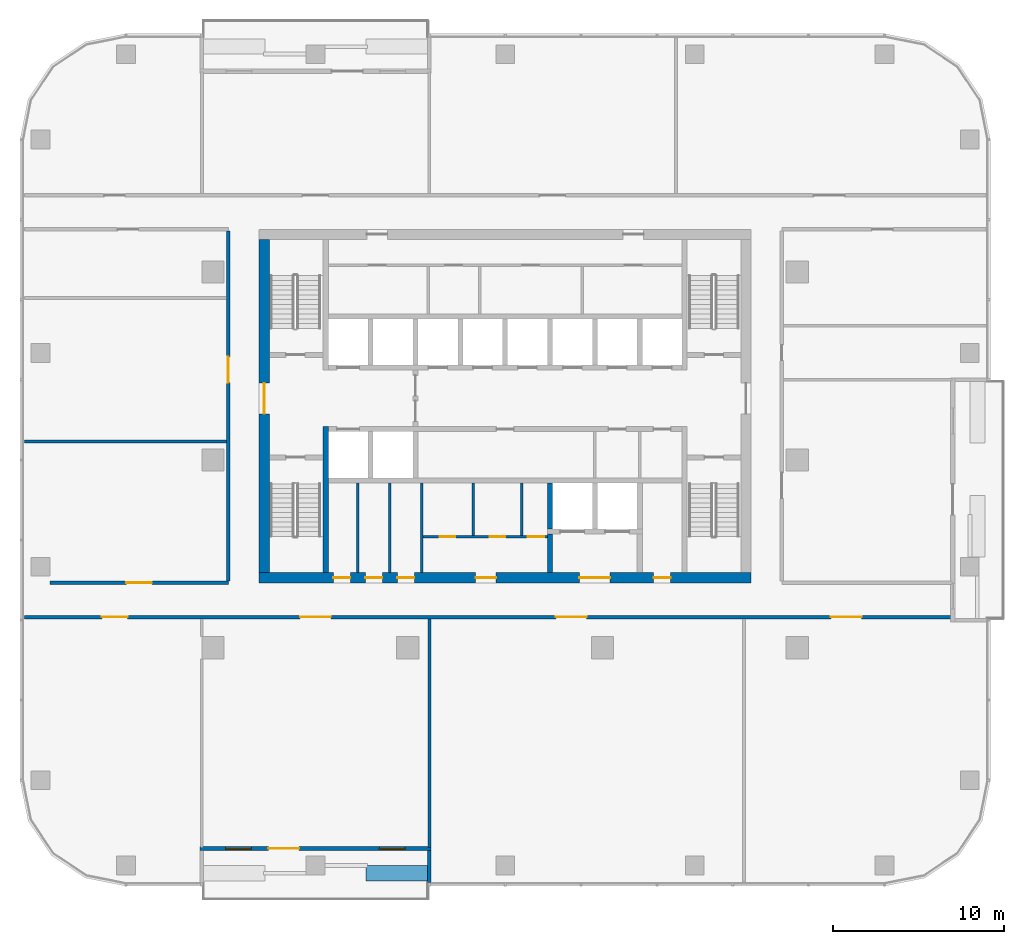
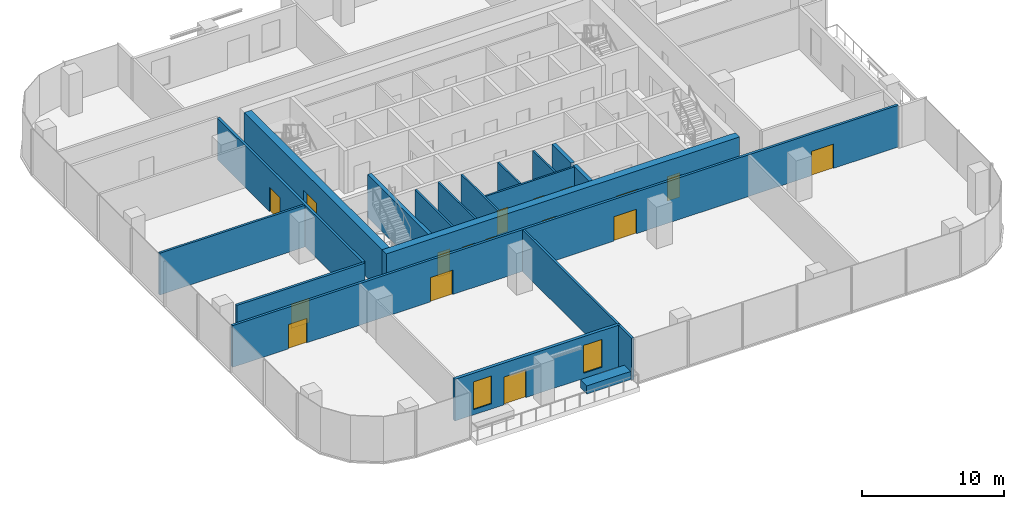
# One storey, part 7 of 14: 19 walls, 17 doors, 2 windows, 19 openings.
"""IFC4 building model written with IfcOpenShell, lengths in metres."""

from ifc_helpers import new_model, si_unit, direction, frame, frame_2d, origin, place, context, subcontext, project, spatial, rectangle, extrude, material, layer, layer_set, type_object, element, fill, save


model = new_model("IFC4")

# Units and contexts
model_context = context("Model", 3, precision=1e-05, world=origin(), true_north=direction((0.0, 1.0)))
body_context = subcontext(model_context, "Body", "Model", "MODEL_VIEW")
ifc_project = project(units=[si_unit("LENGTHUNIT", "METRE"), si_unit("AREAUNIT", "SQUARE_METRE"), si_unit("VOLUMEUNIT", "CUBIC_METRE"), si_unit("PLANEANGLEUNIT", "RADIAN"), si_unit("MASSUNIT", "GRAM", prefix="KILO")], contexts=[model_context])

# Site, building, storey
site_placement = place(None, origin())
site = spatial("IfcSite", under=ifc_project, at=site_placement, CompositionType="ELEMENT")
building_placement = place(site_placement, origin())
building = spatial("IfcBuilding", under=site, at=building_placement, Name="Mopane Tessera Tower", CompositionType="ELEMENT")
storey_placement = place(building_placement, frame((0.0, 0.0, 227.0)))
storey = spatial("IfcBuildingStorey", under=building, at=storey_placement, Name="L48", CompositionType="ELEMENT", Elevation=227.0)

# Walls
ifc_material_1 = material(Name="Fire-rated gypsum board partition")
ifc_layer_1 = layer(ifc_material_1, 0.14990234375)
ifc_layer_set_1 = layer_set([ifc_layer_1], Name="Fire-rated gypsum board partition")
wall_type_1 = type_object("IfcWallType", Name="Core room partition 150 mm", PredefinedType="PARTITIONING", material=ifc_layer_set_1)
for number, where, z_axis, x_axis, name in (
    (1, (-8.625, -6.60009765625, 0.0), (0.0, 0.0, 1.0), (0.0, 1.0, 0.0), "L48 Room partition"),
    (2, (-6.75, -6.60009765625, 0.0), (0.0, 0.0, 1.0), (0.0, 1.0, 0.0), "L48 Room partition"),
    (3, (-4.875, -6.60009765625, 0.0), (0.0, 0.0, 1.0), (0.0, 1.0, 0.0), "L48 Room partition"),
):
    element("IfcWall", number, at=place(storey_placement, frame(where, z_axis=z_axis, x_axis=x_axis)), inside=storey, type_object=wall_type_1, Name=name, PredefinedType="PARTITIONING", context=body_context, shape_type="SweptSolid", body=[
        extrude(rectangle(XDim=5.25, YDim=0.14990234375, at=frame_2d((2.625, 0.0))), origin(), (0.0, 0.0, 1.0), 3.699951171875),
    ])

# Wall, openings, doors
wall_1_placement = place(storey_placement, frame((-4.800048828125, -4.5, 0.0), z_axis=(0.0, 0.0, 1.0), x_axis=(1.0, 0.0, 0.0)))
wall_1 = element("IfcWall", 4, at=wall_1_placement, inside=storey, type_object=wall_type_1, Name="L48 WC partition", PredefinedType="PARTITIONING", context=body_context, shape_type="SweptSolid", body=[
    extrude(rectangle(XDim=7.275146484375, YDim=0.14990234375, at=frame_2d((3.6376953125, 0.0))), origin(), (0.0, 0.0, 1.0), 3.699951171875),
])
opening_1_placement = place(wall_1_placement, frame((0.97509765625, 0.0, 0.0)))
opening_1 = element("IfcOpeningElement", 5, at=opening_1_placement, cuts=wall_1, Name="Opening WD1", PredefinedType="OPENING", context=body_context, shape_type="SweptSolid", body=[
    extrude(rectangle(XDim=0.89990234375, YDim=2.10009765625, at=frame_2d((0.449951171875, 1.050048828125))), frame((0.0, 0.0869140625, 0.0), z_axis=(0.0, -1.0, 0.0), x_axis=(1.0, 0.0, 0.0)), (0.0, 0.0, 1.0), 0.173828125),
])
opening_2_placement = place(wall_1_placement, frame((3.89990234375, 0.0, 0.0)))
opening_2 = element("IfcOpeningElement", 6, at=opening_2_placement, cuts=wall_1, Name="Opening WD1", PredefinedType="OPENING", context=body_context, shape_type="SweptSolid", body=[
    extrude(rectangle(XDim=0.89990234375, YDim=2.10009765625, at=frame_2d((0.449951171875, 1.050048828125))), frame((0.0, 0.0869140625, 0.0), z_axis=(0.0, -1.0, 0.0), x_axis=(1.0, 0.0, 0.0)), (0.0, 0.0, 1.0), 0.173828125),
])
opening_3_placement = place(wall_1_placement, frame((6.125, 0.0, 0.0)))
opening_3 = element("IfcOpeningElement", 7, at=opening_3_placement, cuts=wall_1, Name="Opening WD2", PredefinedType="OPENING", context=body_context, shape_type="SweptSolid", body=[
    extrude(rectangle(XDim=0.949951171875, YDim=2.10009765625, at=frame_2d((0.47509765625, 1.050048828125))), frame((0.0, 0.0869140625, 0.0), z_axis=(0.0, -1.0, 0.0), x_axis=(1.0, 0.0, 0.0)), (0.0, 0.0, 1.0), 0.173828125),
])
ifc_material_2 = material(Name="Timber door", Category="wood")
door_type_1 = type_object("IfcDoorType", Name="Accessible WC door 950 x 2100", OperationType="SINGLE_SWING_LEFT", PredefinedType="DOOR", material=ifc_material_2)
door_1_placement = place(opening_3_placement, origin())
door_1 = element("IfcDoor", 8, at=door_1_placement, inside=storey, type_object=door_type_1, Name="L48 Accessible WC door", OperationType="SINGLE_SWING_LEFT", OverallHeight=2.10009765625, OverallWidth=0.949951171875, PredefinedType="DOOR", context=body_context, shape_type="SweptSolid", body=[
    extrude(rectangle(XDim=0.949951171875, YDim=2.10009765625, at=frame_2d((0.47509765625, 1.050048828125))), frame((0.0, 0.02490234375, 0.0), z_axis=(0.0, -1.0, 0.0), x_axis=(1.0, 0.0, 0.0)), (0.0, 0.0, 1.0), 0.050048828125),
])
fill(opening_3, door_1)
ifc_material_3 = material(Name="Timber door", Category="wood")
door_type_2 = type_object("IfcDoorType", Name="WC cubicle door 900 x 2100", OperationType="SINGLE_SWING_LEFT", PredefinedType="DOOR", material=ifc_material_3)
door_2_placement = place(opening_1_placement, origin())
door_2 = element("IfcDoor", 9, at=door_2_placement, inside=storey, type_object=door_type_2, Name="L48 Men's WC door", OperationType="SINGLE_SWING_LEFT", OverallHeight=2.10009765625, OverallWidth=0.89990234375, PredefinedType="DOOR", context=body_context, shape_type="SweptSolid", body=[
    extrude(rectangle(XDim=0.89990234375, YDim=2.10009765625, at=frame_2d((0.449951171875, 1.050048828125))), frame((0.0, 0.02490234375, 0.0), z_axis=(0.0, -1.0, 0.0), x_axis=(1.0, 0.0, 0.0)), (0.0, 0.0, 1.0), 0.050048828125),
])
fill(opening_1, door_2)
door_3_placement = place(opening_2_placement, origin())
door_3 = element("IfcDoor", 10, at=door_3_placement, inside=storey, type_object=door_type_2, Name="L48 Women's WC door", OperationType="SINGLE_SWING_LEFT", OverallHeight=2.10009765625, OverallWidth=0.89990234375, PredefinedType="DOOR", context=body_context, shape_type="SweptSolid", body=[
    extrude(rectangle(XDim=0.89990234375, YDim=2.10009765625, at=frame_2d((0.449951171875, 1.050048828125))), frame((0.0, 0.02490234375, 0.0), z_axis=(0.0, -1.0, 0.0), x_axis=(1.0, 0.0, 0.0)), (0.0, 0.0, 1.0), 0.050048828125),
])
fill(opening_2, door_3)

# Walls
for number, where, z_axis, x_axis, name in (
    (11, (-1.875, -4.425048828125, 0.0), (0.0, 0.0, 1.0), (0.0, 1.0, 0.0), "L48 WC partition"),
    (12, (0.97509765625, -4.425048828125, 0.0), (0.0, 0.0, 1.0), (0.0, 1.0, 0.0), "L48 WC partition"),
):
    element("IfcWall", number, at=place(storey_placement, frame(where, z_axis=z_axis, x_axis=x_axis)), inside=storey, type_object=wall_type_1, Name=name, PredefinedType="PARTITIONING", context=body_context, shape_type="SweptSolid", body=[
        extrude(rectangle(XDim=3.074951171875, YDim=0.14990234375, at=frame_2d((1.53759765625, 0.0))), origin(), (0.0, 0.0, 1.0), 3.699951171875),
    ])

# Wall, openings, doors
ifc_material_4 = material(Name="Concrete C70/85", Category="concrete")
ifc_layer_2 = layer(ifc_material_4, 0.60009765625)
ifc_layer_set_2 = layer_set([ifc_layer_2], Name="Concrete C70/85")
wall_type_2 = type_object("IfcWallType", Name="Core shear wall 600 mm", PredefinedType="SHEAR", material=ifc_layer_set_2)
wall_2_placement = place(storey_placement, frame((-14.39990234375, -6.89990234375, 0.0), z_axis=(0.0, 0.0, 1.0), x_axis=(1.0, 0.0, 0.0)))
wall_2 = element("IfcWall", 13, at=wall_2_placement, inside=storey, type_object=wall_type_2, Name="L48 Core wall south", PredefinedType="SHEAR", context=body_context, shape_type="SweptSolid", body=[
    extrude(rectangle(XDim=28.7998046875, YDim=0.60009765625, at=frame_2d((14.39990234375, 0.0))), origin(), (0.0, 0.0, 1.0), 3.699951171875),
])
opening_4_placement = place(wall_2_placement, frame((4.33740234375, 0.0, 0.0)))
opening_4 = element("IfcOpeningElement", 14, at=opening_4_placement, cuts=wall_2, Name="Opening RD1", PredefinedType="OPENING", context=body_context, shape_type="SweptSolid", body=[
    extrude(rectangle(XDim=1.0, YDim=2.10009765625, at=frame_2d((0.5, 1.050048828125))), frame((0.0, 0.31201171875, 0.0), z_axis=(0.0, -1.0, 0.0), x_axis=(1.0, 0.0, 0.0)), (0.0, 0.0, 1.0), 0.6240234375),
])
opening_5_placement = place(wall_2_placement, frame((6.21240234375, 0.0, 0.0)))
opening_5 = element("IfcOpeningElement", 15, at=opening_5_placement, cuts=wall_2, Name="Opening RD1", PredefinedType="OPENING", context=body_context, shape_type="SweptSolid", body=[
    extrude(rectangle(XDim=1.0, YDim=2.10009765625, at=frame_2d((0.5, 1.050048828125))), frame((0.0, 0.31201171875, 0.0), z_axis=(0.0, -1.0, 0.0), x_axis=(1.0, 0.0, 0.0)), (0.0, 0.0, 1.0), 0.6240234375),
])
opening_6_placement = place(wall_2_placement, frame((8.08740234375, 0.0, 0.0)))
opening_6 = element("IfcOpeningElement", 16, at=opening_6_placement, cuts=wall_2, Name="Opening RD1", PredefinedType="OPENING", context=body_context, shape_type="SweptSolid", body=[
    extrude(rectangle(XDim=1.0, YDim=2.10009765625, at=frame_2d((0.5, 1.050048828125))), frame((0.0, 0.31201171875, 0.0), z_axis=(0.0, -1.0, 0.0), x_axis=(1.0, 0.0, 0.0)), (0.0, 0.0, 1.0), 0.6240234375),
])
opening_7_placement = place(wall_2_placement, frame((12.675048828125, 0.0, 0.0)))
opening_7 = element("IfcOpeningElement", 17, at=opening_7_placement, cuts=wall_2, Name="Opening WD3", PredefinedType="OPENING", context=body_context, shape_type="SweptSolid", body=[
    extrude(rectangle(XDim=1.199951171875, YDim=2.10009765625, at=frame_2d((0.60009765625, 1.050048828125))), frame((0.0, 0.31201171875, 0.0), z_axis=(0.0, -1.0, 0.0), x_axis=(1.0, 0.0, 0.0)), (0.0, 0.0, 1.0), 0.6240234375),
])
opening_8_placement = place(wall_2_placement, frame((18.75, 0.0, 0.0)))
opening_8 = element("IfcOpeningElement", 18, at=opening_8_placement, cuts=wall_2, Name="Opening SD2", PredefinedType="OPENING", context=body_context, shape_type="SweptSolid", body=[
    extrude(rectangle(XDim=1.800048828125, YDim=2.10009765625, at=frame_2d((0.89990234375, 1.050048828125))), frame((0.0, 0.31201171875, 0.0), z_axis=(0.0, -1.0, 0.0), x_axis=(1.0, 0.0, 0.0)), (0.0, 0.0, 1.0), 0.6240234375),
])
opening_9_placement = place(wall_2_placement, frame((23.08740234375, 0.0, 0.0)))
opening_9 = element("IfcOpeningElement", 19, at=opening_9_placement, cuts=wall_2, Name="Opening RD1", PredefinedType="OPENING", context=body_context, shape_type="SweptSolid", body=[
    extrude(rectangle(XDim=1.0, YDim=2.10009765625, at=frame_2d((0.5, 1.050048828125))), frame((0.0, 0.31201171875, 0.0), z_axis=(0.0, -1.0, 0.0), x_axis=(1.0, 0.0, 0.0)), (0.0, 0.0, 1.0), 0.6240234375),
])
ifc_material_5 = material(Name="Steel fire door", Category="steel")
door_type_3 = type_object("IfcDoorType", Name="Core entrance double door 1800 x 2100", OperationType="DOUBLE_DOOR_SINGLE_SWING", PredefinedType="DOOR", material=ifc_material_5)
door_4_placement = place(opening_8_placement, origin())
door_4 = element("IfcDoor", 20, at=door_4_placement, inside=storey, type_object=door_type_3, Name="L48 Service lobby door", OperationType="DOUBLE_DOOR_SINGLE_SWING", OverallHeight=2.10009765625, OverallWidth=1.800048828125, PredefinedType="DOOR", context=body_context, shape_type="SweptSolid", body=[
    extrude(rectangle(XDim=1.800048828125, YDim=2.10009765625, at=frame_2d((0.89990234375, 1.050048828125))), frame((0.0, 0.02490234375, 0.0), z_axis=(0.0, -1.0, 0.0), x_axis=(1.0, 0.0, 0.0)), (0.0, 0.0, 1.0), 0.050048828125),
])
fill(opening_8, door_4)
ifc_material_6 = material(Name="Timber door", Category="wood")
door_type_4 = type_object("IfcDoorType", Name="Core room door 1000 x 2100", OperationType="SINGLE_SWING_LEFT", PredefinedType="DOOR", material=ifc_material_6)
door_5_placement = place(opening_4_placement, origin())
door_5 = element("IfcDoor", 21, at=door_5_placement, inside=storey, type_object=door_type_4, Name="L48 Room door", OperationType="SINGLE_SWING_LEFT", OverallHeight=2.10009765625, OverallWidth=1.0, PredefinedType="DOOR", context=body_context, shape_type="SweptSolid", body=[
    extrude(rectangle(XDim=1.0, YDim=2.10009765625, at=frame_2d((0.5, 1.050048828125))), frame((0.0, 0.02490234375, 0.0), z_axis=(0.0, -1.0, 0.0), x_axis=(1.0, 0.0, 0.0)), (0.0, 0.0, 1.0), 0.050048828125),
])
fill(opening_4, door_5)
door_6_placement = place(opening_5_placement, origin())
door_6 = element("IfcDoor", 22, at=door_6_placement, inside=storey, type_object=door_type_4, Name="L48 Room door", OperationType="SINGLE_SWING_LEFT", OverallHeight=2.10009765625, OverallWidth=1.0, PredefinedType="DOOR", context=body_context, shape_type="SweptSolid", body=[
    extrude(rectangle(XDim=1.0, YDim=2.10009765625, at=frame_2d((0.5, 1.050048828125))), frame((0.0, 0.02490234375, 0.0), z_axis=(0.0, -1.0, 0.0), x_axis=(1.0, 0.0, 0.0)), (0.0, 0.0, 1.0), 0.050048828125),
])
fill(opening_5, door_6)
door_7_placement = place(opening_6_placement, origin())
door_7 = element("IfcDoor", 23, at=door_7_placement, inside=storey, type_object=door_type_4, Name="L48 Room door", OperationType="SINGLE_SWING_LEFT", OverallHeight=2.10009765625, OverallWidth=1.0, PredefinedType="DOOR", context=body_context, shape_type="SweptSolid", body=[
    extrude(rectangle(XDim=1.0, YDim=2.10009765625, at=frame_2d((0.5, 1.050048828125))), frame((0.0, 0.02490234375, 0.0), z_axis=(0.0, -1.0, 0.0), x_axis=(1.0, 0.0, 0.0)), (0.0, 0.0, 1.0), 0.050048828125),
])
fill(opening_6, door_7)
door_8_placement = place(opening_9_placement, origin())
door_8 = element("IfcDoor", 24, at=door_8_placement, inside=storey, type_object=door_type_4, Name="L48 Room door", OperationType="SINGLE_SWING_LEFT", OverallHeight=2.10009765625, OverallWidth=1.0, PredefinedType="DOOR", context=body_context, shape_type="SweptSolid", body=[
    extrude(rectangle(XDim=1.0, YDim=2.10009765625, at=frame_2d((0.5, 1.050048828125))), frame((0.0, 0.02490234375, 0.0), z_axis=(0.0, -1.0, 0.0), x_axis=(1.0, 0.0, 0.0)), (0.0, 0.0, 1.0), 0.050048828125),
])
fill(opening_9, door_8)
ifc_material_7 = material(Name="Timber door", Category="wood")
door_type_5 = type_object("IfcDoorType", Name="WC lobby door 1200 x 2100", OperationType="SINGLE_SWING_LEFT", PredefinedType="DOOR", material=ifc_material_7)
door_9_placement = place(opening_7_placement, origin())
door_9 = element("IfcDoor", 25, at=door_9_placement, inside=storey, type_object=door_type_5, Name="L48 WC lobby door", OperationType="SINGLE_SWING_LEFT", OverallHeight=2.10009765625, OverallWidth=1.199951171875, PredefinedType="DOOR", context=body_context, shape_type="SweptSolid", body=[
    extrude(rectangle(XDim=1.199951171875, YDim=2.10009765625, at=frame_2d((0.60009765625, 1.050048828125))), frame((0.0, 0.02490234375, 0.0), z_axis=(0.0, -1.0, 0.0), x_axis=(1.0, 0.0, 0.0)), (0.0, 0.0, 1.0), 0.050048828125),
])
fill(opening_7, door_9)

# Wall, opening, door
wall_3_placement = place(storey_placement, frame((-14.10009765625, -6.60009765625, 0.0), z_axis=(0.0, 0.0, 1.0), x_axis=(0.0, 1.0, 0.0)))
wall_3 = element("IfcWall", 26, at=wall_3_placement, inside=storey, type_object=wall_type_2, Name="L48 Core wall west", PredefinedType="SHEAR", context=body_context, shape_type="SweptSolid", body=[
    extrude(rectangle(XDim=19.5, YDim=0.60009765625, at=frame_2d((9.75, 0.0))), origin(), (0.0, 0.0, 1.0), 3.699951171875),
])
opening_10_placement = place(wall_3_placement, frame((9.300048828125, 0.0, 0.0)))
opening_10 = element("IfcOpeningElement", 27, at=opening_10_placement, cuts=wall_3, Name="Opening SD2", PredefinedType="OPENING", context=body_context, shape_type="SweptSolid", body=[
    extrude(rectangle(XDim=1.800048828125, YDim=2.10009765625, at=frame_2d((0.89990234375, 1.050048828125))), frame((0.0, 0.31201171875, 0.0), z_axis=(0.0, -1.0, 0.0), x_axis=(1.0, 0.0, 0.0)), (0.0, 0.0, 1.0), 0.6240234375),
])
door_10_placement = place(opening_10_placement, origin())
door_10 = element("IfcDoor", 28, at=door_10_placement, inside=storey, type_object=door_type_3, Name="L48 Core entrance door west", OperationType="DOUBLE_DOOR_SINGLE_SWING", OverallHeight=2.10009765625, OverallWidth=1.800048828125, PredefinedType="DOOR", context=body_context, shape_type="SweptSolid", body=[
    extrude(rectangle(XDim=1.800048828125, YDim=2.10009765625, at=frame_2d((0.89990234375, 1.050048828125))), frame((0.0, 0.02490234375, 0.0), z_axis=(0.0, -1.0, 0.0), x_axis=(1.0, 0.0, 0.0)), (0.0, 0.0, 1.0), 0.050048828125),
])
fill(opening_10, door_10)

# Walls
ifc_material_8 = material(Name="Concrete C60/75", Category="concrete")
ifc_layer_3 = layer(ifc_material_8, 0.300048828125)
ifc_layer_set_3 = layer_set([ifc_layer_3], Name="Concrete C60/75")
wall_type_3 = type_object("IfcWallType", Name="Core spine wall 300 mm", PredefinedType="SHEAR", material=ifc_layer_set_3)
wall_4_placement = place(storey_placement, frame((-10.5, -6.60009765625, 0.0), z_axis=(0.0, 0.0, 1.0), x_axis=(0.0, 1.0, 0.0)))
element("IfcWall", 29, at=wall_4_placement, inside=storey, type_object=wall_type_3, Name="L48 Core spine wall", PredefinedType="SHEAR", context=body_context, shape_type="SweptSolid", body=[
    extrude(rectangle(XDim=8.550048828125, YDim=0.300048828125, at=frame_2d((4.27490234375, 0.0))), origin(), (0.0, 0.0, 1.0), 3.699951171875),
])
ifc_material_9 = material(Name="Gypsum board on staggered steel studs, double layer each face, acoustic mineral wool infill", Category="steel")
ifc_layer_4 = layer(ifc_material_9, 0.175048828125)
ifc_layer_set_4 = layer_set([ifc_layer_4], Name="Gypsum board on staggered steel studs, double layer each face, acoustic mineral wool infill")
wall_type_4 = type_object("IfcWallType", Name="Gypsum board acoustic partition 175, rated EI 60", PredefinedType="PARTITIONING", material=ifc_layer_set_4)
wall_5_placement = place(storey_placement, frame((-28.14990234375, 1.074951171875, 0.0), z_axis=(0.0, 0.0, 1.0), x_axis=(1.0, 0.0, 0.0)))
element("IfcWall", 30, at=wall_5_placement, inside=storey, type_object=wall_type_4, Name="Partition L48:003", PredefinedType="PARTITIONING", context=body_context, shape_type="SweptSolid", body=[
    extrude(rectangle(XDim=11.849853515625, YDim=0.175048828125, at=frame_2d((5.9248046875, 0.0))), origin(), (0.0, 0.0, 1.0), 3.60009765625),
])
wall_6_placement = place(storey_placement, frame((-4.43994140625, -22.699951171875, 0.0), z_axis=(0.0, 0.0, 1.0), x_axis=(0.0, 1.0, 0.0)))
element("IfcWall", 31, at=wall_6_placement, inside=storey, type_object=wall_type_4, Name="Partition L48:015", PredefinedType="PARTITIONING", context=body_context, shape_type="SweptSolid", body=[
    extrude(rectangle(XDim=13.39990234375, YDim=0.175048828125, at=frame_2d((6.699951171875, 0.0))), origin(), (0.0, 0.0, 1.0), 3.60009765625),
])

# Wall, openings, doors
ifc_material_10 = material(Name="Gypsum board on steel studs, two layers each face, mineral wool infill", Category="steel")
ifc_layer_5 = layer(ifc_material_10, 0.199951171875)
ifc_layer_set_5 = layer_set([ifc_layer_5], Name="Gypsum board on steel studs, two layers each face, mineral wool infill")
wall_type_5 = type_object("IfcWallType", Name="Gypsum board corridor wall 200, rated EI 60", PredefinedType="PARTITIONING", material=ifc_layer_set_5)
wall_7_placement = place(storey_placement, frame((-28.14990234375, -9.199951171875, 0.0), z_axis=(0.0, 0.0, 1.0), x_axis=(1.0, 0.0, 0.0)))
wall_7 = element("IfcWall", 32, at=wall_7_placement, inside=storey, type_object=wall_type_5, Name="Partition L48:000", PredefinedType="PARTITIONING", context=body_context, shape_type="SweptSolid", body=[
    extrude(rectangle(XDim=54.2998046875, YDim=0.199951171875, at=frame_2d((27.14990234375, 0.0))), origin(), (0.0, 0.0, 1.0), 3.60009765625),
])
opening_11_placement = place(wall_7_placement, frame((47.21240234375, 0.0, 0.0)))
opening_11 = element("IfcOpeningElement", 33, at=opening_11_placement, cuts=wall_7, Name="Opening L48-02", PredefinedType="OPENING", context=body_context, shape_type="SweptSolid", body=[
    extrude(rectangle(XDim=1.800048828125, YDim=2.10009765625, at=frame_2d((0.89990234375, 1.050048828125))), frame((0.0, 0.112060546875, 0.0), z_axis=(0.0, -1.0, 0.0), x_axis=(1.0, 0.0, 0.0)), (0.0, 0.0, 1.0), 0.223876953125),
])
opening_12_placement = place(wall_7_placement, frame((16.14990234375, 0.0, 0.0)))
opening_12 = element("IfcOpeningElement", 34, at=opening_12_placement, cuts=wall_7, Name="Opening L48-03", PredefinedType="OPENING", context=body_context, shape_type="SweptSolid", body=[
    extrude(rectangle(XDim=1.800048828125, YDim=2.10009765625, at=frame_2d((0.89990234375, 1.050048828125))), frame((0.0, 0.112060546875, 0.0), z_axis=(0.0, -1.0, 0.0), x_axis=(1.0, 0.0, 0.0)), (0.0, 0.0, 1.0), 0.223876953125),
])
opening_13_placement = place(wall_7_placement, frame((4.544921875, 0.0, 0.0)))
opening_13 = element("IfcOpeningElement", 35, at=opening_13_placement, cuts=wall_7, Name="Opening L48-08", PredefinedType="OPENING", context=body_context, shape_type="SweptSolid", body=[
    extrude(rectangle(XDim=1.5, YDim=2.10009765625, at=frame_2d((0.75, 1.050048828125))), frame((0.0, 0.112060546875, 0.0), z_axis=(0.0, -1.0, 0.0), x_axis=(1.0, 0.0, 0.0)), (0.0, 0.0, 1.0), 0.223876953125),
])
opening_14_placement = place(wall_7_placement, frame((31.117431640625, 0.0, 0.0)))
opening_14 = element("IfcOpeningElement", 36, at=opening_14_placement, cuts=wall_7, Name="Opening L48-14", PredefinedType="OPENING", context=body_context, shape_type="SweptSolid", body=[
    extrude(rectangle(XDim=1.800048828125, YDim=2.10009765625, at=frame_2d((0.89990234375, 1.050048828125))), frame((0.0, 0.112060546875, 0.0), z_axis=(0.0, -1.0, 0.0), x_axis=(1.0, 0.0, 0.0)), (0.0, 0.0, 1.0), 0.223876953125),
])
ifc_material_11 = material(Name="Timber veneered steel-framed fire door", Category="steel")
door_type_6 = type_object("IfcDoorType", Name="Fire door pair FD60 1500 x 2100", OperationType="DOUBLE_DOOR_SINGLE_SWING", PredefinedType="DOOR", material=ifc_material_11)
door_11_placement = place(opening_13_placement, origin())
door_11 = element("IfcDoor", 37, at=door_11_placement, inside=storey, type_object=door_type_6, Name="Door L48-08", ObjectType="D17A", OperationType="DOUBLE_DOOR_SINGLE_SWING", OverallHeight=2.10009765625, OverallWidth=1.5, PredefinedType="DOOR", context=body_context, shape_type="SweptSolid", body=[
    extrude(rectangle(XDim=1.5, YDim=2.10009765625, at=frame_2d((0.75, 1.050048828125))), frame((0.0, 0.02490234375, 0.0), z_axis=(0.0, -1.0, 0.0), x_axis=(1.0, 0.0, 0.0)), (0.0, 0.0, 1.0), 0.050048828125),
])
fill(opening_13, door_11)
ifc_material_12 = material(Name="Timber veneered steel-framed fire door", Category="steel")
door_type_7 = type_object("IfcDoorType", Name="Fire door pair FD60 1800 x 2100", OperationType="DOUBLE_DOOR_SINGLE_SWING", PredefinedType="DOOR", material=ifc_material_12)
door_12_placement = place(opening_11_placement, origin())
door_12 = element("IfcDoor", 38, at=door_12_placement, inside=storey, type_object=door_type_7, Name="Door L48-02", ObjectType="D20A", OperationType="DOUBLE_DOOR_SINGLE_SWING", OverallHeight=2.10009765625, OverallWidth=1.800048828125, PredefinedType="DOOR", context=body_context, shape_type="SweptSolid", body=[
    extrude(rectangle(XDim=1.800048828125, YDim=2.10009765625, at=frame_2d((0.89990234375, 1.050048828125))), frame((0.0, 0.02490234375, 0.0), z_axis=(0.0, -1.0, 0.0), x_axis=(1.0, 0.0, 0.0)), (0.0, 0.0, 1.0), 0.050048828125),
])
fill(opening_11, door_12)
door_13_placement = place(opening_12_placement, origin())
door_13 = element("IfcDoor", 39, at=door_13_placement, inside=storey, type_object=door_type_7, Name="Door L48-03", ObjectType="D20A", OperationType="DOUBLE_DOOR_SINGLE_SWING", OverallHeight=2.10009765625, OverallWidth=1.800048828125, PredefinedType="DOOR", context=body_context, shape_type="SweptSolid", body=[
    extrude(rectangle(XDim=1.800048828125, YDim=2.10009765625, at=frame_2d((0.89990234375, 1.050048828125))), frame((0.0, 0.02490234375, 0.0), z_axis=(0.0, -1.0, 0.0), x_axis=(1.0, 0.0, 0.0)), (0.0, 0.0, 1.0), 0.050048828125),
])
fill(opening_12, door_13)
door_14_placement = place(opening_14_placement, origin())
door_14 = element("IfcDoor", 40, at=door_14_placement, inside=storey, type_object=door_type_7, Name="Door L48-14", ObjectType="D20A", OperationType="DOUBLE_DOOR_SINGLE_SWING", OverallHeight=2.10009765625, OverallWidth=1.800048828125, PredefinedType="DOOR", context=body_context, shape_type="SweptSolid", body=[
    extrude(rectangle(XDim=1.800048828125, YDim=2.10009765625, at=frame_2d((0.89990234375, 1.050048828125))), frame((0.0, 0.02490234375, 0.0), z_axis=(0.0, -1.0, 0.0), x_axis=(1.0, 0.0, 0.0)), (0.0, 0.0, 1.0), 0.050048828125),
])
fill(opening_14, door_14)

# Wall, opening, door
wall_8_placement = place(storey_placement, frame((-26.64990234375, -7.199951171875, 0.0), z_axis=(0.0, 0.0, 1.0), x_axis=(1.0, 0.0, 0.0)))
wall_8 = element("IfcWall", 41, at=wall_8_placement, inside=storey, type_object=wall_type_5, Name="Partition L48:001", PredefinedType="PARTITIONING", context=body_context, shape_type="SweptSolid", body=[
    extrude(rectangle(XDim=10.449951171875, YDim=0.199951171875, at=frame_2d((5.22509765625, 0.0))), origin(), (0.0, 0.0, 1.0), 3.60009765625),
])
opening_15_placement = place(wall_8_placement, frame((4.47509765625, 0.0, 0.0)))
opening_15 = element("IfcOpeningElement", 42, at=opening_15_placement, cuts=wall_8, Name="Opening L48-09", PredefinedType="OPENING", context=body_context, shape_type="SweptSolid", body=[
    extrude(rectangle(XDim=1.5, YDim=2.10009765625, at=frame_2d((0.75, 1.050048828125))), frame((0.0, 0.112060546875, 0.0), z_axis=(0.0, -1.0, 0.0), x_axis=(1.0, 0.0, 0.0)), (0.0, 0.0, 1.0), 0.223876953125),
])
door_15_placement = place(opening_15_placement, origin())
door_15 = element("IfcDoor", 43, at=door_15_placement, inside=storey, type_object=door_type_6, Name="Door L48-09", ObjectType="D17A", OperationType="DOUBLE_DOOR_SINGLE_SWING", OverallHeight=2.10009765625, OverallWidth=1.5, PredefinedType="DOOR", context=body_context, shape_type="SweptSolid", body=[
    extrude(rectangle(XDim=1.5, YDim=2.10009765625, at=frame_2d((0.75, 1.050048828125))), frame((0.0, 0.02490234375, 0.0), z_axis=(0.0, -1.0, 0.0), x_axis=(1.0, 0.0, 0.0)), (0.0, 0.0, 1.0), 0.050048828125),
])
fill(opening_15, door_15)

wall_9_placement = place(storey_placement, frame((-16.199951171875, -7.10009765625, 0.0), z_axis=(0.0, 0.0, 1.0), x_axis=(0.0, 1.0, 0.0)))
wall_9 = element("IfcWall", 44, at=wall_9_placement, inside=storey, type_object=wall_type_5, Name="Partition L48:013", PredefinedType="PARTITIONING", context=body_context, shape_type="SweptSolid", body=[
    extrude(rectangle(XDim=20.5, YDim=0.199951171875, at=frame_2d((10.25, 0.0))), origin(), (0.0, 0.0, 1.0), 3.60009765625),
])
opening_16_placement = place(wall_9_placement, frame((11.6298828125, 0.0, 0.0)))
opening_16 = element("IfcOpeningElement", 45, at=opening_16_placement, cuts=wall_9, Name="Opening L48-13", PredefinedType="OPENING", context=body_context, shape_type="SweptSolid", body=[
    extrude(rectangle(XDim=1.5, YDim=2.10009765625, at=frame_2d((0.75, 1.050048828125))), frame((0.0, 0.112060546875, 0.0), z_axis=(0.0, -1.0, 0.0), x_axis=(1.0, 0.0, 0.0)), (0.0, 0.0, 1.0), 0.223876953125),
])
door_16_placement = place(opening_16_placement, origin())
door_16 = element("IfcDoor", 46, at=door_16_placement, inside=storey, type_object=door_type_6, Name="Door L48-13", ObjectType="D17A", OperationType="DOUBLE_DOOR_SINGLE_SWING", OverallHeight=2.10009765625, OverallWidth=1.5, PredefinedType="DOOR", context=body_context, shape_type="SweptSolid", body=[
    extrude(rectangle(XDim=1.5, YDim=2.10009765625, at=frame_2d((0.75, 1.050048828125))), frame((0.0, 0.02490234375, 0.0), z_axis=(0.0, -1.0, 0.0), x_axis=(1.0, 0.0, 0.0)), (0.0, 0.0, 1.0), 0.050048828125),
])
fill(opening_16, door_16)

# Walls
ifc_material_13 = material(Name="Concrete C50/60", Category="concrete")
ifc_layer_6 = layer(ifc_material_13, 0.300048828125)
ifc_layer_set_6 = layer_set([ifc_layer_6], Name="Concrete C50/60")
wall_type_6 = type_object("IfcWallType", Name="Lift and stair shaft wall 300 mm", PredefinedType="SOLIDWALL", material=ifc_layer_set_6)
wall_10_placement = place(storey_placement, frame((2.625, -4.050048828125, 0.0), z_axis=(0.0, 0.0, 1.0), x_axis=(0.0, 1.0, 0.0)))
element("IfcWall", 47, at=wall_10_placement, inside=storey, type_object=wall_type_6, Name="L48 Lift shaft wall", PredefinedType="SOLIDWALL", context=body_context, shape_type="SweptSolid", body=[
    extrude(rectangle(XDim=2.699951171875, YDim=0.300048828125, at=frame_2d((1.35009765625, 0.0))), origin(), (0.0, 0.0, 1.0), 3.699951171875),
])
ifc_material_14 = material(Name="Concrete C50/60", Category="concrete")
ifc_layer_7 = layer(ifc_material_14, 0.300048828125)
ifc_layer_set_7 = layer_set([ifc_layer_7], Name="Concrete C50/60")
wall_type_7 = type_object("IfcWallType", Name="Lobby and refuge room wall 300 mm", PredefinedType="SOLIDWALL", material=ifc_layer_set_7)
wall_11_placement = place(storey_placement, frame((2.625, -6.60009765625, 0.0), z_axis=(0.0, 0.0, 1.0), x_axis=(0.0, 1.0, 0.0)))
element("IfcWall", 48, at=wall_11_placement, inside=storey, type_object=wall_type_7, Name="L48 Service lobby wall", PredefinedType="SOLIDWALL", context=body_context, shape_type="SweptSolid", body=[
    extrude(rectangle(XDim=2.25, YDim=0.300048828125, at=frame_2d((1.125, 0.0))), origin(), (0.0, 0.0, 1.0), 3.699951171875),
])
ifc_material_15 = material(Name="Reinforced concrete C32/40 with waterproofing", Category="concrete")
ifc_layer_8 = layer(ifc_material_15, 0.89990234375)
ifc_layer_set_8 = layer_set([ifc_layer_8], Name="Reinforced concrete C32/40 with waterproofing")
wall_type_8 = type_object("IfcWallType", Name="Planter trough 3600 x 900", PredefinedType="STANDARD", material=ifc_layer_set_8)
wall_12_placement = place(storey_placement, frame((-8.139892578125, -24.199951171875, 0.0), z_axis=(0.0, 0.0, 1.0), x_axis=(1.0, 0.0, 0.0)))
element("IfcWall", 49, at=wall_12_placement, inside=storey, type_object=wall_type_8, Name="e:nw:L48:N1:pl1", PredefinedType="STANDARD", context=body_context, shape_type="SweptSolid", body=[
    extrude(rectangle(XDim=3.599853515625, YDim=0.89990234375, at=frame_2d((1.7998046875, 0.0))), origin(), (0.0, 0.0, 1.0), 0.699951171875),
])
ifc_material_16 = material(Name="Blockwork with glazed tile facing", Category="masonry")
ifc_layer_9 = layer(ifc_material_16, 0.199951171875)
ifc_layer_set_9 = layer_set([ifc_layer_9], Name="Blockwork with glazed tile facing")
wall_type_9 = type_object("IfcWallType", Name="Terrace cheek wall 200", PredefinedType="STANDARD", material=ifc_layer_set_9)
wall_13_placement = place(storey_placement, frame((-4.43994140625, -24.75, 0.0), z_axis=(0.0, 0.0, 1.0), x_axis=(0.0, 1.0, 0.0)))
element("IfcWall", 50, at=wall_13_placement, inside=storey, type_object=wall_type_9, Name="e:nw:L48:N1:cheekb", PredefinedType="STANDARD", context=body_context, shape_type="SweptSolid", body=[
    extrude(rectangle(XDim=1.875, YDim=0.199951171875, at=frame_2d((0.9375, 0.0))), origin(), (0.0, 0.0, 1.0), 3.60009765625),
])

# Wall, openings, windows, door
ifc_material_17 = material(Name="Blockwork with ultramarine glazed tile facing", Category="masonry")
ifc_layer_10 = layer(ifc_material_17, 0.25)
ifc_layer_set_10 = layer_set([ifc_layer_10], Name="Blockwork with ultramarine glazed tile facing")
wall_type_10 = type_object("IfcWallType", Name="Tile-clad external wall 250, ultramarine", PredefinedType="STANDARD", material=ifc_layer_set_10)
wall_14_placement = place(storey_placement, frame((-17.860107421875, -22.75, 0.0), z_axis=(0.0, 0.0, 1.0), x_axis=(1.0, 0.0, 0.0)))
wall_14 = element("IfcWall", 51, at=wall_14_placement, inside=storey, type_object=wall_type_10, Name="e:nw:L48:N1:back", PredefinedType="STANDARD", context=body_context, shape_type="SweptSolid", body=[
    extrude(rectangle(XDim=13.52001953125, YDim=0.25, at=frame_2d((6.760009765625, 0.0))), origin(), (0.0, 0.0, 1.0), 3.60009765625),
])
opening_17_placement = place(wall_14_placement, frame((1.5, 0.0, 0.449951171875)))
opening_17 = element("IfcOpeningElement", 52, at=opening_17_placement, cuts=wall_14, Name="Opening NW481A", PredefinedType="OPENING", context=body_context, shape_type="SweptSolid", body=[
    extrude(rectangle(XDim=1.5, YDim=2.39990234375, at=frame_2d((0.75, 1.199951171875))), frame((0.0, 0.136962890625, 0.0), z_axis=(0.0, -1.0, 0.0), x_axis=(1.0, 0.0, 0.0)), (0.0, 0.0, 1.0), 0.27392578125),
])
opening_18_placement = place(wall_14_placement, frame((4.0, 0.0, 0.0)))
opening_18 = element("IfcOpeningElement", 53, at=opening_18_placement, cuts=wall_14, Name="Opening ND481", PredefinedType="OPENING", context=body_context, shape_type="SweptSolid", body=[
    extrude(rectangle(XDim=1.800048828125, YDim=2.39990234375, at=frame_2d((0.89990234375, 1.199951171875))), frame((0.0, 0.136962890625, 0.0), z_axis=(0.0, -1.0, 0.0), x_axis=(1.0, 0.0, 0.0)), (0.0, 0.0, 1.0), 0.27392578125),
])
opening_19_placement = place(wall_14_placement, frame((10.5, 0.0, 0.449951171875)))
opening_19 = element("IfcOpeningElement", 54, at=opening_19_placement, cuts=wall_14, Name="Opening NW481B", PredefinedType="OPENING", context=body_context, shape_type="SweptSolid", body=[
    extrude(rectangle(XDim=1.5, YDim=2.39990234375, at=frame_2d((0.75, 1.199951171875))), frame((0.0, 0.136962890625, 0.0), z_axis=(0.0, -1.0, 0.0), x_axis=(1.0, 0.0, 0.0)), (0.0, 0.0, 1.0), 0.27392578125),
])
ifc_material_18 = material(Name="Clear laminated glass", Category="glass")
window_type = type_object("IfcWindowType", Name="Fixed window 1500 x 2400", PartitioningType="SINGLE_PANEL", PredefinedType="WINDOW", material=ifc_material_18)
window_1_placement = place(opening_17_placement, origin())
window_1 = element("IfcWindow", 55, at=window_1_placement, inside=storey, type_object=window_type, Name="e:nw:L48:N1:win0", OverallHeight=2.39990234375, OverallWidth=1.5, PartitioningType="SINGLE_PANEL", PredefinedType="WINDOW", context=body_context, shape_type="SweptSolid", body=[
    extrude(rectangle(XDim=1.5, YDim=2.39990234375, at=frame_2d((0.75, 1.199951171875))), frame((0.0, 0.030029296875, 0.0), z_axis=(0.0, -1.0, 0.0), x_axis=(1.0, 0.0, 0.0)), (0.0, 0.0, 1.0), 0.06005859375),
])
fill(opening_17, window_1)
window_2_placement = place(opening_19_placement, origin())
window_2 = element("IfcWindow", 56, at=window_2_placement, inside=storey, type_object=window_type, Name="e:nw:L48:N1:win2", OverallHeight=2.39990234375, OverallWidth=1.5, PartitioningType="SINGLE_PANEL", PredefinedType="WINDOW", context=body_context, shape_type="SweptSolid", body=[
    extrude(rectangle(XDim=1.5, YDim=2.39990234375, at=frame_2d((0.75, 1.199951171875))), frame((0.0, 0.030029296875, 0.0), z_axis=(0.0, -1.0, 0.0), x_axis=(1.0, 0.0, 0.0)), (0.0, 0.0, 1.0), 0.06005859375),
])
fill(opening_19, window_2)
ifc_material_19 = material(Name="Aluminium and clear glass", Category="aluminium")
door_type_8 = type_object("IfcDoorType", Name="Terrace double door 1800 x 2400", OperationType="DOUBLE_DOOR_SINGLE_SWING", PredefinedType="DOOR", material=ifc_material_19)
door_17_placement = place(opening_18_placement, origin())
door_17 = element("IfcDoor", 57, at=door_17_placement, inside=storey, type_object=door_type_8, Name="e:nw:L48:N1:door", ObjectType="D1", OperationType="DOUBLE_DOOR_SINGLE_SWING", OverallHeight=2.39990234375, OverallWidth=1.800048828125, PredefinedType="DOOR", context=body_context, shape_type="SweptSolid", body=[
    extrude(rectangle(XDim=1.800048828125, YDim=2.39990234375, at=frame_2d((0.89990234375, 1.199951171875))), frame((0.0, 0.02490234375, 0.0), z_axis=(0.0, -1.0, 0.0), x_axis=(1.0, 0.0, 0.0)), (0.0, 0.0, 1.0), 0.050048828125),
])
fill(opening_18, door_17)

save(model, "model.ifc")
